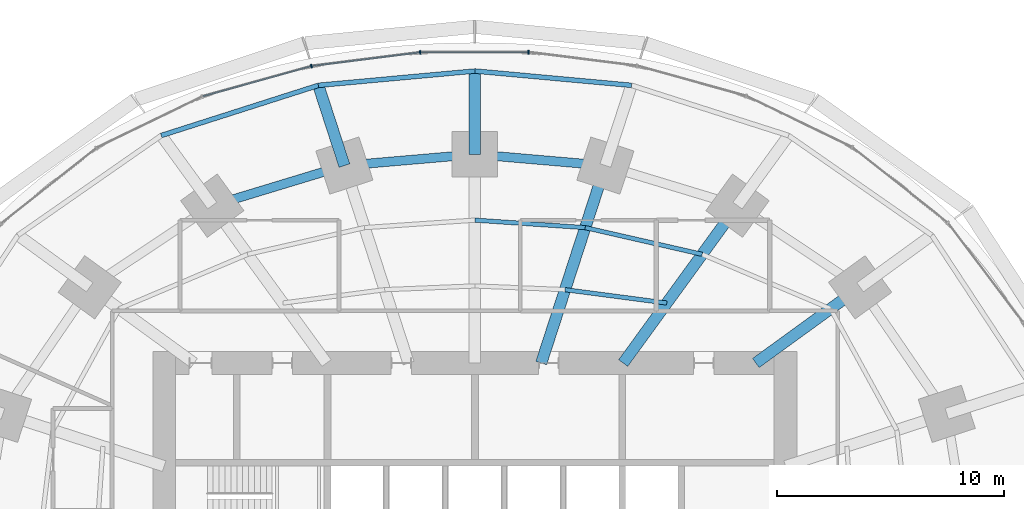
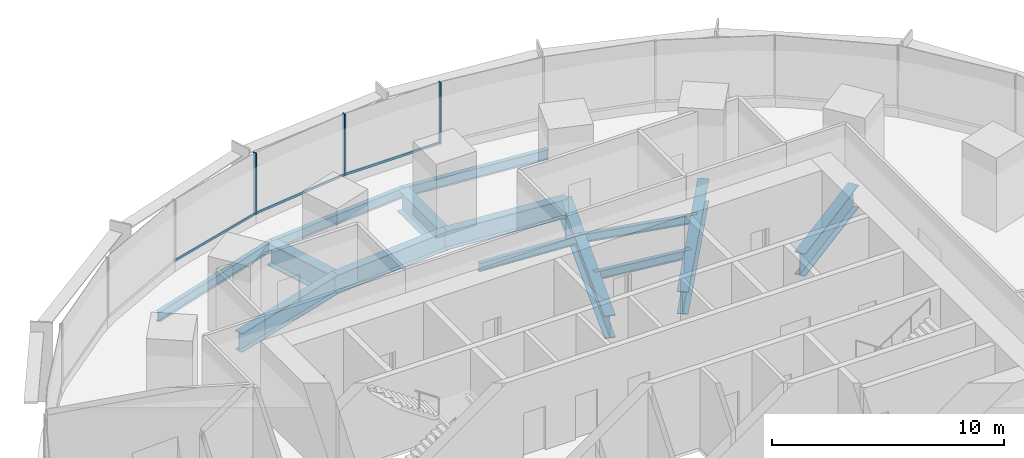
# One storey, part 8 of 15: 14 beams, 6 members, 1 element without a shape of its own.
"""IFC4 building model written with IfcOpenShell, lengths in metres."""

from ifc_helpers import new_model, si_unit, direction, frame, origin, origin_2d, place, context, subcontext, project, spatial, rectangle, i_section, extrude, material, material_profile, profile_set, type_object, element, aggregate, save


model = new_model("IFC4")

# Units and contexts
model_context = context("Model", 3, precision=1e-05, world=origin(), true_north=direction((0.0, 1.0)))
body_context = subcontext(model_context, "Body", "Model", "MODEL_VIEW")
ifc_project = project(units=[si_unit("LENGTHUNIT", "METRE"), si_unit("AREAUNIT", "SQUARE_METRE"), si_unit("VOLUMEUNIT", "CUBIC_METRE"), si_unit("PLANEANGLEUNIT", "RADIAN"), si_unit("MASSUNIT", "GRAM", prefix="KILO")], contexts=[model_context])

# Site, building, storey
site_placement = place(None, origin())
site = spatial("IfcSite", under=ifc_project, at=site_placement, CompositionType="ELEMENT")
building_placement = place(site_placement, origin())
building = spatial("IfcBuilding", under=site, at=building_placement, Name="Marramba Exchange Tower", CompositionType="ELEMENT")
storey_placement = place(building_placement, frame((0.0, 0.0, 36.39990234375)))
storey = spatial("IfcBuildingStorey", under=building, at=storey_placement, Name="L08", CompositionType="ELEMENT", Elevation=36.39990234375)

# Beams
ifc_material_1 = material(Name="Steel AS/NZS 3679.2 grade 300", Category="steel")
ifc_material_profile_1 = material_profile(ifc_material_1, i_section(OverallWidth=0.5, OverallDepth=1.199951171875, WebThickness=0.01611328125, FlangeThickness=0.0400390625, at=origin_2d()), Name="1200WB455")
ifc_profile_set_1 = profile_set([ifc_material_profile_1], Name="Steel AS/NZS 3679.2 grade 300")
beam_type_1 = type_object("IfcBeamType", Name="Cantilever girder 1200WB455", PredefinedType="BEAM", material=ifc_profile_set_1)
beam_1_placement = place(storey_placement, frame((0.0, 18.2041015625, -0.760009765625), z_axis=(0.0, 1.0, 0.0), x_axis=(-1.0, 0.0, 0.0)))
element("IfcBeam", 1, at=beam_1_placement, inside=storey, type_object=beam_type_1, Name="Cantilever girder L08 TC06", PredefinedType="BEAM", context=body_context, shape_type="SweptSolid", body=[
    extrude(i_section(OverallWidth=0.5, OverallDepth=1.199951171875, WebThickness=0.01611328125, FlangeThickness=0.0400390625, at=origin_2d()), origin(), (0.0, 0.0, 1.0), 3.673828125),
])
beam_2_placement = place(storey_placement, frame((-5.75390625, 17.70849609375, -0.760009765625), z_axis=(-0.308973290646, 0.951070715387, 0.0), x_axis=(-0.951070715387, -0.308973290646, 0.0)))
element("IfcBeam", 2, at=beam_2_placement, inside=storey, type_object=beam_type_1, Name="Cantilever girder L08 TC07", PredefinedType="BEAM", context=body_context, shape_type="SweptSolid", body=[
    extrude(i_section(OverallWidth=0.5, OverallDepth=1.199951171875, WebThickness=0.01611328125, FlangeThickness=0.0400390625, at=origin_2d()), origin(), (0.0, 0.0, 1.0), 3.72021484375),
])
ifc_material_2 = material(Name="Steel AS/NZS 3679.1 grade 300", Category="steel")
ifc_material_profile_2 = material_profile(ifc_material_2, i_section(OverallWidth=0.18994140625, OverallDepth=0.4541015625, WebThickness=0.008544921875, FlangeThickness=0.0126953125, FilletRadius=0.011474609375, at=origin_2d()), Name="460UB67.1")
ifc_profile_set_2 = profile_set([ifc_material_profile_2], Name="Steel AS/NZS 3679.1 grade 300")
beam_type_2 = type_object("IfcBeamType", Name="Floor joist 460UB67.1", PredefinedType="JOIST", material=ifc_profile_set_2)
beam_3_placement = place(storey_placement, frame((8.4619140625, 11.646728515625, -0.386962890625), z_axis=(-0.991480538255, 0.130254912618, 0.0), x_axis=(-0.130254912618, -0.991480538255, 0.0)))
element("IfcBeam", 3, at=beam_3_placement, inside=storey, type_object=beam_type_2, Name="Joist L08 bay 04 row 1", PredefinedType="JOIST", context=body_context, shape_type="SweptSolid", body=[
    extrude(i_section(OverallWidth=0.18994140625, OverallDepth=0.4541015625, WebThickness=0.008544921875, FlangeThickness=0.0126953125, FilletRadius=0.011474609375, at=origin_2d()), origin(), (0.0, 0.0, 1.0), 4.524658203125),
])
beam_4_placement = place(storey_placement, frame((10.021728515625, 13.793701171875, -0.386962890625), z_axis=(-0.974859652292, 0.222819788916, 0.0), x_axis=(-0.222819788916, -0.974859652292, 0.0)))
element("IfcBeam", 4, at=beam_4_placement, inside=storey, type_object=beam_type_2, Name="Joist L08 bay 04 row 2", PredefinedType="JOIST", context=body_context, shape_type="SweptSolid", body=[
    extrude(i_section(OverallWidth=0.18994140625, OverallDepth=0.4541015625, WebThickness=0.008544921875, FlangeThickness=0.0126953125, FilletRadius=0.011474609375, at=origin_2d()), origin(), (0.0, 0.0, 1.0), 5.2900390625),
])
beam_5_placement = place(storey_placement, frame((4.86474609375, 14.972412109375, -0.386962890625), z_axis=(-0.997702652202, 0.067745241816, 0.0), x_axis=(-0.067745241816, -0.997702652202, 0.0)))
element("IfcBeam", 5, at=beam_5_placement, inside=storey, type_object=beam_type_2, Name="Joist L08 bay 05 row 2", PredefinedType="JOIST", context=body_context, shape_type="SweptSolid", body=[
    extrude(i_section(OverallWidth=0.18994140625, OverallDepth=0.4541015625, WebThickness=0.008544921875, FlangeThickness=0.0126953125, FilletRadius=0.011474609375, at=origin_2d()), origin(), (0.0, 0.0, 1.0), 4.8759765625),
])
ifc_material_profile_3 = material_profile(ifc_material_1, i_section(OverallWidth=0.5, OverallDepth=1.199951171875, WebThickness=0.01611328125, FlangeThickness=0.0400390625, at=origin_2d()), Name="1200WB455")
ifc_profile_set_3 = profile_set([ifc_material_profile_3], Name="Steel AS/NZS 3679.2 grade 300")
beam_type_3 = type_object("IfcBeamType", Name="Radial girder 1200WB455", PredefinedType="BEAM", material=ifc_profile_set_3)
beam_6_placement = place(storey_placement, frame((12.387451171875, 9.0, -0.760009765625), z_axis=(0.809025746925, 0.587773205252, 0.0), x_axis=(-0.587773205252, 0.809025746925, 0.0)))
element("IfcBeam", 6, at=beam_6_placement, inside=storey, type_object=beam_type_3, Name="Radial girder L08 TC03", PredefinedType="BEAM", context=body_context, shape_type="SweptSolid", body=[
    extrude(i_section(OverallWidth=0.5, OverallDepth=1.199951171875, WebThickness=0.01611328125, FlangeThickness=0.0400390625, at=origin_2d()), origin(), (0.0, 0.0, 1.0), 5.683837890625),
])
beam_7_placement = place(storey_placement, frame((6.538818359375, 9.0, -0.760009765625), z_axis=(0.587782439969, 0.80901903764, 0.0), x_axis=(-0.80901903764, 0.587782439969, 0.0)))
element("IfcBeam", 7, at=beam_7_placement, inside=storey, type_object=beam_type_3, Name="Radial girder L08 TC04", PredefinedType="BEAM", context=body_context, shape_type="SweptSolid", body=[
    extrude(i_section(OverallWidth=0.5, OverallDepth=1.199951171875, WebThickness=0.01611328125, FlangeThickness=0.0400390625, at=origin_2d()), origin(), (0.0, 0.0, 1.0), 8.578857421875),
])
beam_8_placement = place(storey_placement, frame((2.92431640625, 9.0, -0.760009765625), z_axis=(0.309019754162, 0.951055619582, 0.0), x_axis=(-0.951055619582, 0.309019754162, 0.0)))
element("IfcBeam", 8, at=beam_8_placement, inside=storey, type_object=beam_type_3, Name="Radial girder L08 TC05", PredefinedType="BEAM", context=body_context, shape_type="SweptSolid", body=[
    extrude(i_section(OverallWidth=0.5, OverallDepth=1.199951171875, WebThickness=0.01611328125, FlangeThickness=0.0400390625, at=origin_2d()), origin(), (0.0, 0.0, 1.0), 9.15673828125),
])
ifc_material_profile_4 = material_profile(ifc_material_1, i_section(OverallWidth=0.39990234375, OverallDepth=1.0, WebThickness=0.01611328125, FlangeThickness=0.031982421875, at=origin_2d()), Name="1000WB322")
ifc_profile_set_4 = profile_set([ifc_material_profile_4], Name="Steel AS/NZS 3679.2 grade 300")
beam_type_4 = type_object("IfcBeamType", Name="Ring beam 1000WB322", PredefinedType="SPANDREL", material=ifc_profile_set_4)
for number, where, z_axis, x_axis, name in (
    (9, (5.75390625, 17.70849609375, -0.659912109375), (-0.996311003275, 0.085815993578, 0.0), (-0.085815993578, -0.996311003275, 0.0), "Ring beam L08 TC05-TC06"),
    (10, (0.0, 18.2041015625, -0.659912109375), (-0.996311003275, -0.085815993578, 0.0), (0.085815993578, -0.996311003275, 0.0), "Ring beam L08 TC06-TC07"),
):
    element("IfcBeam", number, at=place(storey_placement, frame(where, z_axis=z_axis, x_axis=x_axis)), inside=storey, type_object=beam_type_4, Name=name, PredefinedType="SPANDREL", context=body_context, shape_type="SweptSolid", body=[
        extrude(i_section(OverallWidth=0.39990234375, OverallDepth=1.0, WebThickness=0.01611328125, FlangeThickness=0.031982421875, at=origin_2d()), origin(), (0.0, 0.0, 1.0), 5.775146484375),
    ])
beam_9_placement = place(storey_placement, frame((-5.75390625, 17.70849609375, -0.659912109375), z_axis=(-0.956924542524, -0.290336735387, 0.0), x_axis=(0.290336735387, -0.956924542524, 0.0)))
element("IfcBeam", 11, at=beam_9_placement, inside=storey, type_object=beam_type_4, Name="Ring beam L08 TC07-TC08", PredefinedType="SPANDREL", context=body_context, shape_type="SweptSolid", body=[
    extrude(i_section(OverallWidth=0.39990234375, OverallDepth=1.0, WebThickness=0.01611328125, FlangeThickness=0.031982421875, at=origin_2d()), origin(), (0.0, 0.0, 1.0), 6.089599609375),
])
ifc_material_profile_5 = material_profile(ifc_material_2, i_section(OverallWidth=0.208984375, OverallDepth=0.528076171875, WebThickness=0.009521484375, FlangeThickness=0.01318359375, FilletRadius=0.013916015625, at=origin_2d()), Name="530UB82.0")
ifc_profile_set_5 = profile_set([ifc_material_profile_5], Name="Steel AS/NZS 3679.1 grade 300")
beam_type_5 = type_object("IfcBeamType", Name="Slab edge beam 530UB82.0", PredefinedType="SPANDREL", material=ifc_profile_set_5)
for number, where, z_axis, x_axis, name in (
    (12, (6.9033203125, 21.24658203125, -0.423828125), (-0.995843984921, 0.091075560369, 0.0), (-0.091075560369, -0.995843984921, 0.0), "Slab edge beam L08 TC05-TC06"),
    (13, (0.0, 21.8779296875, -0.423828125), (-0.995843984921, -0.091075560369, 0.0), (0.091075560369, -0.995843984921, 0.0), "Slab edge beam L08 TC06-TC07"),
):
    element("IfcBeam", number, at=place(storey_placement, frame(where, z_axis=z_axis, x_axis=x_axis)), inside=storey, type_object=beam_type_5, Name=name, PredefinedType="SPANDREL", context=body_context, shape_type="SweptSolid", body=[
        extrude(i_section(OverallWidth=0.208984375, OverallDepth=0.528076171875, WebThickness=0.009521484375, FlangeThickness=0.01318359375, FilletRadius=0.013916015625, at=origin_2d()), origin(), (0.0, 0.0, 1.0), 6.93212890625),
    ])
beam_10_placement = place(storey_placement, frame((-6.9033203125, 21.24658203125, -0.423828125), z_axis=(-0.952577642997, -0.304295635957, 0.0), x_axis=(0.304295635957, -0.952577642997, 0.0)))
element("IfcBeam", 14, at=beam_10_placement, inside=storey, type_object=beam_type_5, Name="Slab edge beam L08 TC07-TC08", PredefinedType="SPANDREL", context=body_context, shape_type="SweptSolid", body=[
    extrude(i_section(OverallWidth=0.208984375, OverallDepth=0.528076171875, WebThickness=0.009521484375, FlangeThickness=0.01318359375, FilletRadius=0.013916015625, at=origin_2d()), origin(), (0.0, 0.0, 1.0), 7.2705078125),
])

# Curtain wall, members
ifc_material_3 = material(Name="Aluminium framing, bronze anodised", Category="aluminium")
curtain_wall_type = type_object("IfcCurtainWallType", Name="Trading floor ribbon curtain wall", PredefinedType="USERDEFINED", material=ifc_material_3)
curtain_wall_placement = place(storey_placement, origin())
curtain_wall = element("IfcCurtainWall", 15, at=curtain_wall_placement, inside=storey, type_object=curtain_wall_type, Name="Curtain wall CW3 L08 F06-F10", ObjectType="RIBBON CURTAIN WALL", PredefinedType="USERDEFINED")
ifc_material_4 = material(Name="Aluminium mullion, bronze anodised", Category="aluminium")
ifc_material_profile_6 = material_profile(ifc_material_4, rectangle(XDim=0.159912109375, YDim=0.06005859375, at=origin_2d()), Name="CW3 mullion 60x160")
ifc_profile_set_6 = profile_set([ifc_material_profile_6], Name="Aluminium mullion, bronze anodised")
member_type_1 = type_object("IfcMemberType", Name="Trading floor ribbon curtain wall mullion", PredefinedType="MULLION", material=ifc_profile_set_6)
member_1_placement = place(storey_placement, frame((2.3564453125, 22.7060546875, 0.800048828125), z_axis=(0.0, 0.0, 1.0), x_axis=(0.0, -1.0, 0.0)))
member_1 = element("IfcMember", 16, at=member_1_placement, type_object=member_type_1, Name="CW3 mullion 1", PredefinedType="MULLION", context=body_context, shape_type="SweptSolid", body=[
    extrude(rectangle(XDim=0.159912109375, YDim=0.06005859375, at=origin_2d()), origin(), (0.0, 0.0, 1.0), 3.239990234375),
])
member_2_placement = place(storey_placement, frame((-2.416259765625, 22.7021484375, 0.800048828125), z_axis=(0.0, 0.0, 1.0), x_axis=(0.124872723099, -0.992172768738, 0.0)))
member_2 = element("IfcMember", 17, at=member_2_placement, type_object=member_type_1, Name="CW3 mullion 1", PredefinedType="MULLION", context=body_context, shape_type="SweptSolid", body=[
    extrude(rectangle(XDim=0.159912109375, YDim=0.06005859375, at=origin_2d()), origin(), (0.0, 0.0, 1.0), 3.239990234375),
])
member_3_placement = place(storey_placement, frame((-7.21044921875, 22.094482421875, 0.800048828125), z_axis=(0.0, 0.0, 1.0), x_axis=(0.267808735815, -0.963472096649, 0.0)))
member_3 = element("IfcMember", 18, at=member_3_placement, type_object=member_type_1, Name="CW3 mullion 1", PredefinedType="MULLION", context=body_context, shape_type="SweptSolid", body=[
    extrude(rectangle(XDim=0.159912109375, YDim=0.06005859375, at=origin_2d()), origin(), (0.0, 0.0, 1.0), 3.239990234375),
])
ifc_material_5 = material(Name="Aluminium transom, bronze anodised", Category="aluminium")
ifc_material_profile_7 = material_profile(ifc_material_5, rectangle(XDim=0.06005859375, YDim=0.1201171875, at=origin_2d()), Name="CW3 transom 60x120")
ifc_profile_set_7 = profile_set([ifc_material_profile_7], Name="Aluminium transom, bronze anodised")
member_type_2 = type_object("IfcMemberType", Name="Trading floor ribbon curtain wall transom", PredefinedType="USERDEFINED", material=ifc_profile_set_7)
member_4_placement = place(storey_placement, frame((2.326416015625, 22.7060546875, 0.830078125), z_axis=(-1.0, 0.0, 0.0), x_axis=(0.0, -1.0, 0.0)))
member_4 = element("IfcMember", 19, at=member_4_placement, type_object=member_type_2, Name="CW3 sill transom", ObjectType="TRANSOM", PredefinedType="USERDEFINED", context=body_context, shape_type="SweptSolid", body=[
    extrude(rectangle(XDim=0.06005859375, YDim=0.1201171875, at=origin_2d()), origin(), (0.0, 0.0, 1.0), 4.712890625),
])
member_5_placement = place(storey_placement, frame((-2.446044921875, 22.698486328125, 0.830078125), z_axis=(-0.992174445211, -0.124859402009, 0.0), x_axis=(0.124859402009, -0.992174445211, 0.0)))
member_5 = element("IfcMember", 20, at=member_5_placement, type_object=member_type_2, Name="CW3 sill transom", ObjectType="TRANSOM", PredefinedType="USERDEFINED", context=body_context, shape_type="SweptSolid", body=[
    extrude(rectangle(XDim=0.06005859375, YDim=0.1201171875, at=origin_2d()), origin(), (0.0, 0.0, 1.0), 4.77294921875),
])
member_6_placement = place(storey_placement, frame((-7.2392578125, 22.08642578125, 0.830078125), z_axis=(-0.963472490071, -0.267807320431, 0.0), x_axis=(0.267807320431, -0.963472490071, 0.0)))
member_6 = element("IfcMember", 21, at=member_6_placement, type_object=member_type_2, Name="CW3 sill transom", ObjectType="TRANSOM", PredefinedType="USERDEFINED", context=body_context, shape_type="SweptSolid", body=[
    extrude(rectangle(XDim=0.06005859375, YDim=0.1201171875, at=origin_2d()), origin(), (0.0, 0.0, 1.0), 4.93017578125),
])
aggregate(curtain_wall, [member_1, member_4, member_2, member_5, member_3, member_6])

save(model, "model.ifc")
